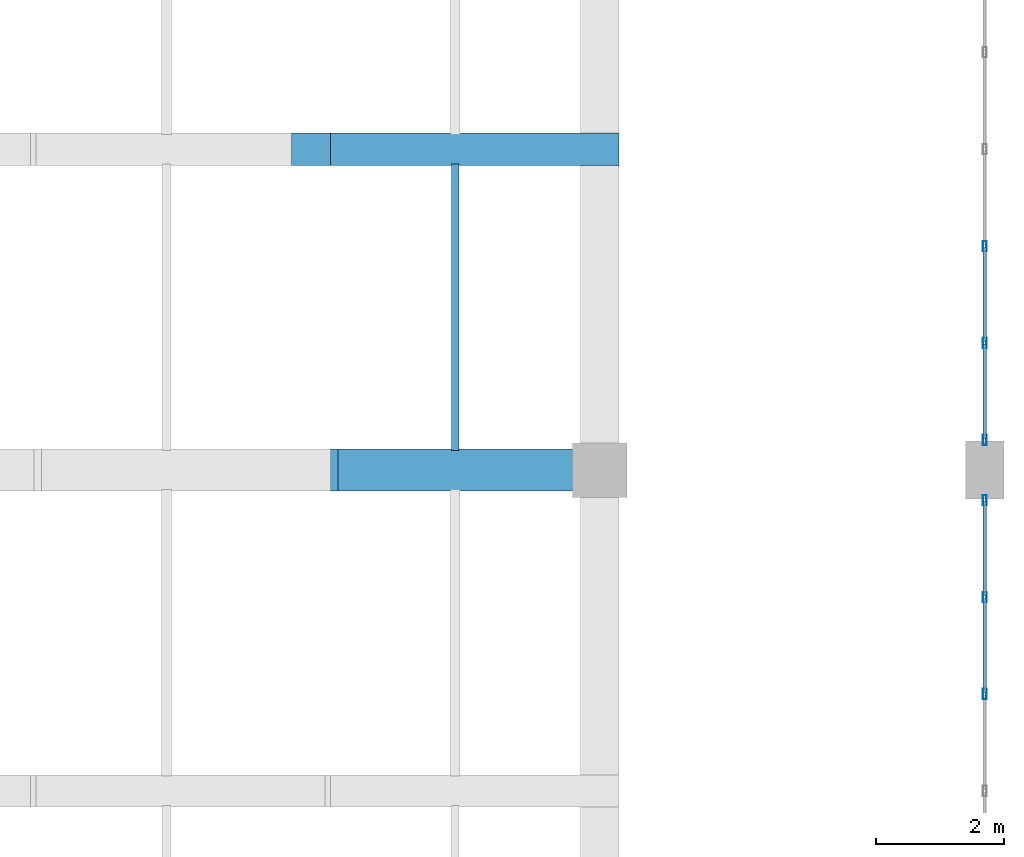
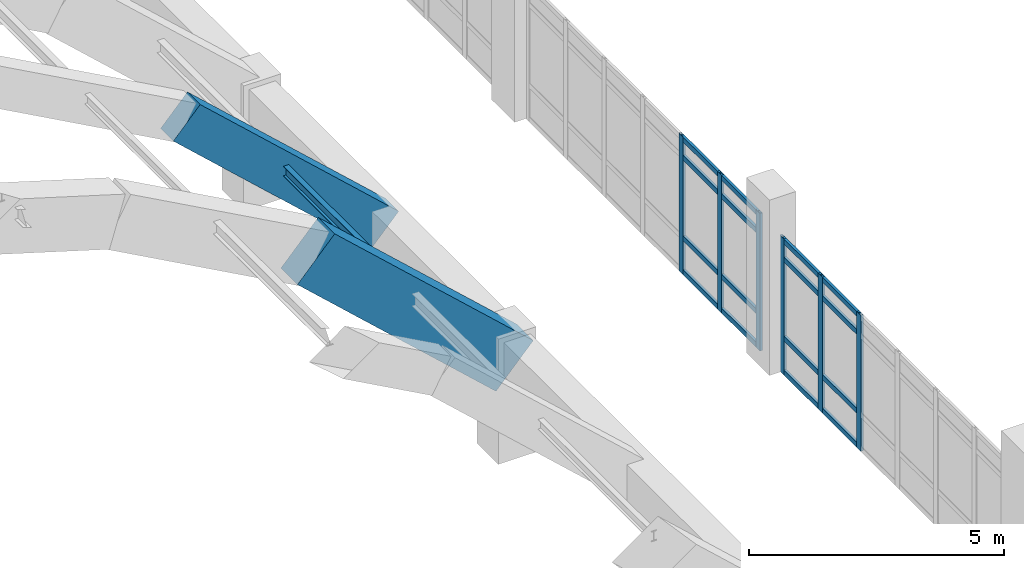
# One storey, part 73 of 111: 23 members, 2 beams, 2 elements without a shape of their own.
"""IFC4 building model written with IfcOpenShell, lengths in metres."""

from ifc_helpers import new_model, si_unit, direction, frame, origin, origin_2d, place, context, subcontext, project, spatial, rectangle, hollow_rectangle, i_section, extrude, material, layer, layer_set, material_profile, profile_set, type_object, element, aggregate, save


model = new_model("IFC4")

# Units and contexts
model_context = context("Model", 3, precision=1e-05, world=origin(), true_north=direction((0.0, 1.0)))
body_context = subcontext(model_context, "Body", "Model", "MODEL_VIEW")
ifc_project = project(units=[si_unit("LENGTHUNIT", "METRE"), si_unit("AREAUNIT", "SQUARE_METRE"), si_unit("VOLUMEUNIT", "CUBIC_METRE"), si_unit("PLANEANGLEUNIT", "RADIAN"), si_unit("MASSUNIT", "GRAM", prefix="KILO")], contexts=[model_context])

# Site, building, storey
site_placement = place(None, origin())
site = spatial("IfcSite", under=ifc_project, at=site_placement, CompositionType="ELEMENT")
building_placement = place(site_placement, origin())
building = spatial("IfcBuilding", under=site, at=building_placement, Name="Mersad Railyard Sports Hall", CompositionType="ELEMENT")
storey_placement = place(building_placement, frame((0.0, 0.0, 9.0)))
storey = spatial("IfcBuildingStorey", under=building, at=storey_placement, Name="L02", CompositionType="ELEMENT", Elevation=9.0)

# Curtain wall, members
ifc_material_1 = material(Name="Aluminium 6063-T6", Category="aluminium")
ifc_layer_1 = layer(ifc_material_1, 0.159912109375)
ifc_layer_set_1 = layer_set([ifc_layer_1], Name="Aluminium 6063-T6")
curtain_wall_type_1 = type_object("IfcCurtainWallType", Name="ARC-CW-CW16", PredefinedType="USERDEFINED", material=ifc_layer_set_1)
curtain_wall_1_placement = place(storey_placement, origin())
curtain_wall_1 = element("IfcCurtainWall", 1, at=curtain_wall_1_placement, inside=storey, type_object=curtain_wall_type_1, Name="Curtain wall CW16-0047", ObjectType="CURTAIN WALL", PredefinedType="USERDEFINED")
ifc_material_profile_1 = material_profile(ifc_material_1, hollow_rectangle(XDim=0.06005859375, YDim=0.159912109375, WallThickness=0.00390625, at=origin_2d()), Name="AL MULLION 60x160x4")
ifc_profile_set_1 = profile_set([ifc_material_profile_1], Name="Aluminium 6063-T6")
member_type_1 = type_object("IfcMemberType", Name="ARC-CW-MUL01", PredefinedType="MULLION", material=ifc_profile_set_1)
member_1_placement = place(storey_placement, frame((179.0, 23.030029296875, -0.02001953125), z_axis=(0.0, 0.0, 1.0), x_axis=(1.0, 0.0, 0.0)))
member_1 = element("IfcMember", 2, at=member_1_placement, type_object=member_type_1, Name="CW16 Mullion 1", PredefinedType="MULLION", context=body_context, shape_type="SweptSolid", body=[
    extrude(hollow_rectangle(XDim=0.06005859375, YDim=0.159912109375, WallThickness=0.00390625, at=origin_2d()), origin(), (0.0, 0.0, 1.0), 3.260009765625),
])
member_2_placement = place(storey_placement, frame((179.0, 21.52001953125, -0.02001953125), z_axis=(0.0, 0.0, 1.0), x_axis=(1.0, 0.0, 0.0)))
member_2 = element("IfcMember", 3, at=member_2_placement, type_object=member_type_1, Name="CW16 Mullion 2", PredefinedType="MULLION", context=body_context, shape_type="SweptSolid", body=[
    extrude(hollow_rectangle(XDim=0.06005859375, YDim=0.159912109375, WallThickness=0.00390625, at=origin_2d()), origin(), (0.0, 0.0, 1.0), 3.260009765625),
])
member_3_placement = place(storey_placement, frame((179.0, 20.010009765625, -0.02001953125), z_axis=(0.0, 0.0, 1.0), x_axis=(1.0, 0.0, 0.0)))
member_3 = element("IfcMember", 4, at=member_3_placement, type_object=member_type_1, Name="CW16 Mullion 3", PredefinedType="MULLION", context=body_context, shape_type="SweptSolid", body=[
    extrude(hollow_rectangle(XDim=0.06005859375, YDim=0.159912109375, WallThickness=0.00390625, at=origin_2d()), origin(), (0.0, 0.0, 1.0), 3.260009765625),
])

ifc_layer_2 = layer(ifc_material_1, 0.159912109375)
ifc_layer_set_2 = layer_set([ifc_layer_2], Name="Aluminium 6063-T6")
curtain_wall_type_2 = type_object("IfcCurtainWallType", Name="ARC-CW-CW17", PredefinedType="USERDEFINED", material=ifc_layer_set_2)
curtain_wall_2_placement = place(storey_placement, origin())
curtain_wall_2 = element("IfcCurtainWall", 5, at=curtain_wall_2_placement, inside=storey, type_object=curtain_wall_type_2, Name="Curtain wall CW17-0049", ObjectType="CURTAIN WALL", PredefinedType="USERDEFINED")
member_4_placement = place(storey_placement, frame((179.0, 26.989990234375, -0.02001953125), z_axis=(0.0, 0.0, 1.0), x_axis=(1.0, 0.0, 0.0)))
member_4 = element("IfcMember", 6, at=member_4_placement, type_object=member_type_1, Name="CW17 Mullion 5", PredefinedType="MULLION", context=body_context, shape_type="SweptSolid", body=[
    extrude(hollow_rectangle(XDim=0.06005859375, YDim=0.159912109375, WallThickness=0.00390625, at=origin_2d()), origin(), (0.0, 0.0, 1.0), 3.300048828125),
])
member_5_placement = place(storey_placement, frame((179.0, 25.47998046875, -0.02001953125), z_axis=(0.0, 0.0, 1.0), x_axis=(1.0, 0.0, 0.0)))
member_5 = element("IfcMember", 7, at=member_5_placement, type_object=member_type_1, Name="CW17 Mullion 6", PredefinedType="MULLION", context=body_context, shape_type="SweptSolid", body=[
    extrude(hollow_rectangle(XDim=0.06005859375, YDim=0.159912109375, WallThickness=0.00390625, at=origin_2d()), origin(), (0.0, 0.0, 1.0), 3.300048828125),
])
member_6_placement = place(storey_placement, frame((179.0, 23.969970703125, -0.02001953125), z_axis=(0.0, 0.0, 1.0), x_axis=(1.0, 0.0, 0.0)))
member_6 = element("IfcMember", 8, at=member_6_placement, type_object=member_type_1, Name="CW17 Mullion 7", PredefinedType="MULLION", context=body_context, shape_type="SweptSolid", body=[
    extrude(hollow_rectangle(XDim=0.06005859375, YDim=0.159912109375, WallThickness=0.00390625, at=origin_2d()), origin(), (0.0, 0.0, 1.0), 3.300048828125),
])

# Member
ifc_material_profile_2 = material_profile(ifc_material_1, hollow_rectangle(XDim=0.06005859375, YDim=0.1201171875, WallThickness=0.00390625, at=origin_2d()), Name="AL TRANSOM 60x120x4")
ifc_profile_set_2 = profile_set([ifc_material_profile_2], Name="Aluminium 6063-T6")
member_type_2 = type_object("IfcMemberType", Name="ARC-CW-TRN01", PredefinedType="USERDEFINED", material=ifc_profile_set_2)
member_7_placement = place(storey_placement, frame((179.0, 23.010009765625, 0.0400390625), z_axis=(0.0, -1.0, 0.0), x_axis=(1.0, 0.0, 0.0)))
member_7 = element("IfcMember", 9, at=member_7_placement, type_object=member_type_2, Name="CW16 Transom 1-1", ObjectType="TRANSOM", PredefinedType="USERDEFINED", context=body_context, shape_type="SweptSolid", body=[
    extrude(hollow_rectangle(XDim=0.06005859375, YDim=0.1201171875, WallThickness=0.00390625, at=origin_2d()), origin(), (0.0, 0.0, 1.0), 1.469970703125),
])

member_8_placement = place(storey_placement, frame((179.0, 21.5, 0.0400390625), z_axis=(0.0, -1.0, 0.0), x_axis=(1.0, 0.0, 0.0)))
member_8 = element("IfcMember", 10, at=member_8_placement, type_object=member_type_2, Name="CW16 Transom 1-2", ObjectType="TRANSOM", PredefinedType="USERDEFINED", context=body_context, shape_type="SweptSolid", body=[
    extrude(hollow_rectangle(XDim=0.06005859375, YDim=0.1201171875, WallThickness=0.00390625, at=origin_2d()), origin(), (0.0, 0.0, 1.0), 1.469970703125),
])

member_9_placement = place(storey_placement, frame((179.0, 23.010009765625, 0.85009765625), z_axis=(0.0, -1.0, 0.0), x_axis=(1.0, 0.0, 0.0)))
member_9 = element("IfcMember", 11, at=member_9_placement, type_object=member_type_2, Name="CW16 Transom 2-1", ObjectType="TRANSOM", PredefinedType="USERDEFINED", context=body_context, shape_type="SweptSolid", body=[
    extrude(hollow_rectangle(XDim=0.06005859375, YDim=0.1201171875, WallThickness=0.00390625, at=origin_2d()), origin(), (0.0, 0.0, 1.0), 1.469970703125),
])

member_10_placement = place(storey_placement, frame((179.0, 21.5, 0.85009765625), z_axis=(0.0, -1.0, 0.0), x_axis=(1.0, 0.0, 0.0)))
member_10 = element("IfcMember", 12, at=member_10_placement, type_object=member_type_2, Name="CW16 Transom 2-2", ObjectType="TRANSOM", PredefinedType="USERDEFINED", context=body_context, shape_type="SweptSolid", body=[
    extrude(hollow_rectangle(XDim=0.06005859375, YDim=0.1201171875, WallThickness=0.00390625, at=origin_2d()), origin(), (0.0, 0.0, 1.0), 1.469970703125),
])

member_11_placement = place(storey_placement, frame((179.0, 23.010009765625, 2.739990234375), z_axis=(0.0, -1.0, 0.0), x_axis=(1.0, 0.0, 0.0)))
member_11 = element("IfcMember", 13, at=member_11_placement, type_object=member_type_2, Name="CW16 Transom 3-1", ObjectType="TRANSOM", PredefinedType="USERDEFINED", context=body_context, shape_type="SweptSolid", body=[
    extrude(hollow_rectangle(XDim=0.06005859375, YDim=0.1201171875, WallThickness=0.00390625, at=origin_2d()), origin(), (0.0, 0.0, 1.0), 1.469970703125),
])

member_12_placement = place(storey_placement, frame((179.0, 21.5, 2.739990234375), z_axis=(0.0, -1.0, 0.0), x_axis=(1.0, 0.0, 0.0)))
member_12 = element("IfcMember", 14, at=member_12_placement, type_object=member_type_2, Name="CW16 Transom 3-2", ObjectType="TRANSOM", PredefinedType="USERDEFINED", context=body_context, shape_type="SweptSolid", body=[
    extrude(hollow_rectangle(XDim=0.06005859375, YDim=0.1201171875, WallThickness=0.00390625, at=origin_2d()), origin(), (0.0, 0.0, 1.0), 1.469970703125),
])

member_13_placement = place(storey_placement, frame((179.0, 23.010009765625, 3.179931640625), z_axis=(0.0, -1.0, 0.0), x_axis=(1.0, 0.0, 0.0)))
member_13 = element("IfcMember", 15, at=member_13_placement, type_object=member_type_2, Name="CW16 Transom 4-1", ObjectType="TRANSOM", PredefinedType="USERDEFINED", context=body_context, shape_type="SweptSolid", body=[
    extrude(hollow_rectangle(XDim=0.06005859375, YDim=0.1201171875, WallThickness=0.00390625, at=origin_2d()), origin(), (0.0, 0.0, 1.0), 1.469970703125),
])

member_14_placement = place(storey_placement, frame((179.0, 21.5, 3.179931640625), z_axis=(0.0, -1.0, 0.0), x_axis=(1.0, 0.0, 0.0)))
member_14 = element("IfcMember", 16, at=member_14_placement, type_object=member_type_2, Name="CW16 Transom 4-2", ObjectType="TRANSOM", PredefinedType="USERDEFINED", context=body_context, shape_type="SweptSolid", body=[
    extrude(hollow_rectangle(XDim=0.06005859375, YDim=0.1201171875, WallThickness=0.00390625, at=origin_2d()), origin(), (0.0, 0.0, 1.0), 1.469970703125),
])

aggregate(curtain_wall_1, [member_1, member_2, member_3, member_7, member_8, member_9, member_10, member_11, member_12, member_13, member_14])

member_15_placement = place(storey_placement, frame((179.0, 26.969970703125, 0.0400390625), z_axis=(0.0, -1.0, 0.0), x_axis=(1.0, 0.0, 0.0)))
member_15 = element("IfcMember", 17, at=member_15_placement, type_object=member_type_2, Name="CW17 Transom 1-5", ObjectType="TRANSOM", PredefinedType="USERDEFINED", context=body_context, shape_type="SweptSolid", body=[
    extrude(hollow_rectangle(XDim=0.06005859375, YDim=0.1201171875, WallThickness=0.00390625, at=origin_2d()), origin(), (0.0, 0.0, 1.0), 1.469970703125),
])

member_16_placement = place(storey_placement, frame((179.0, 25.4599609375, 0.0400390625), z_axis=(0.0, -1.0, 0.0), x_axis=(1.0, 0.0, 0.0)))
member_16 = element("IfcMember", 18, at=member_16_placement, type_object=member_type_2, Name="CW17 Transom 1-6", ObjectType="TRANSOM", PredefinedType="USERDEFINED", context=body_context, shape_type="SweptSolid", body=[
    extrude(hollow_rectangle(XDim=0.06005859375, YDim=0.1201171875, WallThickness=0.00390625, at=origin_2d()), origin(), (0.0, 0.0, 1.0), 1.469970703125),
])

member_17_placement = place(storey_placement, frame((179.0, 26.969970703125, 0.85009765625), z_axis=(0.0, -1.0, 0.0), x_axis=(1.0, 0.0, 0.0)))
member_17 = element("IfcMember", 19, at=member_17_placement, type_object=member_type_2, Name="CW17 Transom 2-5", ObjectType="TRANSOM", PredefinedType="USERDEFINED", context=body_context, shape_type="SweptSolid", body=[
    extrude(hollow_rectangle(XDim=0.06005859375, YDim=0.1201171875, WallThickness=0.00390625, at=origin_2d()), origin(), (0.0, 0.0, 1.0), 1.469970703125),
])

member_18_placement = place(storey_placement, frame((179.0, 25.4599609375, 0.85009765625), z_axis=(0.0, -1.0, 0.0), x_axis=(1.0, 0.0, 0.0)))
member_18 = element("IfcMember", 20, at=member_18_placement, type_object=member_type_2, Name="CW17 Transom 2-6", ObjectType="TRANSOM", PredefinedType="USERDEFINED", context=body_context, shape_type="SweptSolid", body=[
    extrude(hollow_rectangle(XDim=0.06005859375, YDim=0.1201171875, WallThickness=0.00390625, at=origin_2d()), origin(), (0.0, 0.0, 1.0), 1.469970703125),
])

member_19_placement = place(storey_placement, frame((179.0, 26.969970703125, 2.780029296875), z_axis=(0.0, -1.0, 0.0), x_axis=(1.0, 0.0, 0.0)))
member_19 = element("IfcMember", 21, at=member_19_placement, type_object=member_type_2, Name="CW17 Transom 3-5", ObjectType="TRANSOM", PredefinedType="USERDEFINED", context=body_context, shape_type="SweptSolid", body=[
    extrude(hollow_rectangle(XDim=0.06005859375, YDim=0.1201171875, WallThickness=0.00390625, at=origin_2d()), origin(), (0.0, 0.0, 1.0), 1.469970703125),
])

member_20_placement = place(storey_placement, frame((179.0, 25.4599609375, 2.780029296875), z_axis=(0.0, -1.0, 0.0), x_axis=(1.0, 0.0, 0.0)))
member_20 = element("IfcMember", 22, at=member_20_placement, type_object=member_type_2, Name="CW17 Transom 3-6", ObjectType="TRANSOM", PredefinedType="USERDEFINED", context=body_context, shape_type="SweptSolid", body=[
    extrude(hollow_rectangle(XDim=0.06005859375, YDim=0.1201171875, WallThickness=0.00390625, at=origin_2d()), origin(), (0.0, 0.0, 1.0), 1.469970703125),
])

member_21_placement = place(storey_placement, frame((179.0, 26.969970703125, 3.219970703125), z_axis=(0.0, -1.0, 0.0), x_axis=(1.0, 0.0, 0.0)))
member_21 = element("IfcMember", 23, at=member_21_placement, type_object=member_type_2, Name="CW17 Transom 4-5", ObjectType="TRANSOM", PredefinedType="USERDEFINED", context=body_context, shape_type="SweptSolid", body=[
    extrude(hollow_rectangle(XDim=0.06005859375, YDim=0.1201171875, WallThickness=0.00390625, at=origin_2d()), origin(), (0.0, 0.0, 1.0), 1.469970703125),
])

member_22_placement = place(storey_placement, frame((179.0, 25.4599609375, 3.219970703125), z_axis=(0.0, -1.0, 0.0), x_axis=(1.0, 0.0, 0.0)))
member_22 = element("IfcMember", 24, at=member_22_placement, type_object=member_type_2, Name="CW17 Transom 4-6", ObjectType="TRANSOM", PredefinedType="USERDEFINED", context=body_context, shape_type="SweptSolid", body=[
    extrude(hollow_rectangle(XDim=0.06005859375, YDim=0.1201171875, WallThickness=0.00390625, at=origin_2d()), origin(), (0.0, 0.0, 1.0), 1.469970703125),
])

aggregate(curtain_wall_2, [member_4, member_5, member_6, member_15, member_16, member_17, member_18, member_19, member_20, member_21, member_22])

# Beams
ifc_material_2 = material(Name="Architectural concrete C50/60", Category="concrete")
ifc_material_profile_3 = material_profile(ifc_material_2, rectangle(XDim=0.64990234375, YDim=1.25, at=origin_2d()), Name="VR 650x1250")
ifc_profile_set_3 = profile_set([ifc_material_profile_3], Name="Architectural concrete C50/60")
beam_type_1 = type_object("IfcBeamType", Name="STR-BM-VR01", PredefinedType="BEAM", material=ifc_profile_set_3)
beam_1_placement = place(storey_placement, frame((168.5, 23.5, 6.2822265625), z_axis=(0.736556702909, 0.0, -0.676375800425), x_axis=(0.0, 1.0, 0.0)))
element("IfcBeam", 25, at=beam_1_placement, inside=storey, type_object=beam_type_1, Name="Beam VR01-0760", PredefinedType="BEAM", context=body_context, shape_type="SweptSolid", body=[
    extrude(rectangle(XDim=0.64990234375, YDim=1.25, at=origin_2d()), origin(), (0.0, 0.0, 1.0), 6.109619140625),
])
ifc_material_profile_4 = material_profile(ifc_material_2, rectangle(XDim=0.5, YDim=0.89990234375, at=origin_2d()), Name="VR 500x900")
ifc_profile_set_4 = profile_set([ifc_material_profile_4], Name="Architectural concrete C50/60")
beam_type_2 = type_object("IfcBeamType", Name="STR-BM-VR02", PredefinedType="BEAM", material=ifc_profile_set_4)
beam_2_placement = place(storey_placement, frame((168.5, 28.5, 6.47216796875), z_axis=(0.736576611143, 0.0, -0.676354120204), x_axis=(0.0, 1.0, 0.0)))
element("IfcBeam", 26, at=beam_2_placement, inside=storey, type_object=beam_type_2, Name="Beam VR02-0768", PredefinedType="BEAM", context=body_context, shape_type="SweptSolid", body=[
    extrude(rectangle(XDim=0.5, YDim=0.89990234375, at=origin_2d()), origin(), (0.0, 0.0, 1.0), 6.109375),
])

# Member
ifc_material_3 = material(Name="Steel S355", Category="steel")
ifc_material_profile_5 = material_profile(ifc_material_3, i_section(OverallWidth=0.1201171875, OverallDepth=0.239990234375, WebThickness=0.006103515625, FlangeThickness=0.009765625, at=origin_2d()), Name="IPE 240")
ifc_profile_set_5 = profile_set([ifc_material_profile_5], Name="Steel S355")
member_type_3 = type_object("IfcMemberType", Name="STR-MEM-PU01", PredefinedType="PURLIN", material=ifc_profile_set_5)
member_23_placement = place(storey_placement, frame((170.75, 23.804931640625, 4.546142578125), z_axis=(0.0, 1.0, 0.0), x_axis=(-1.0, 0.0, 0.0)))
element("IfcMember", 27, at=member_23_placement, inside=storey, type_object=member_type_3, Name="Structural member PU01-0144", PredefinedType="PURLIN", context=body_context, shape_type="SweptSolid", body=[
    extrude(i_section(OverallWidth=0.1201171875, OverallDepth=0.239990234375, WebThickness=0.006103515625, FlangeThickness=0.009765625, at=origin_2d()), origin(), (0.0, 0.0, 1.0), 4.465087890625),
])

save(model, "model.ifc")
